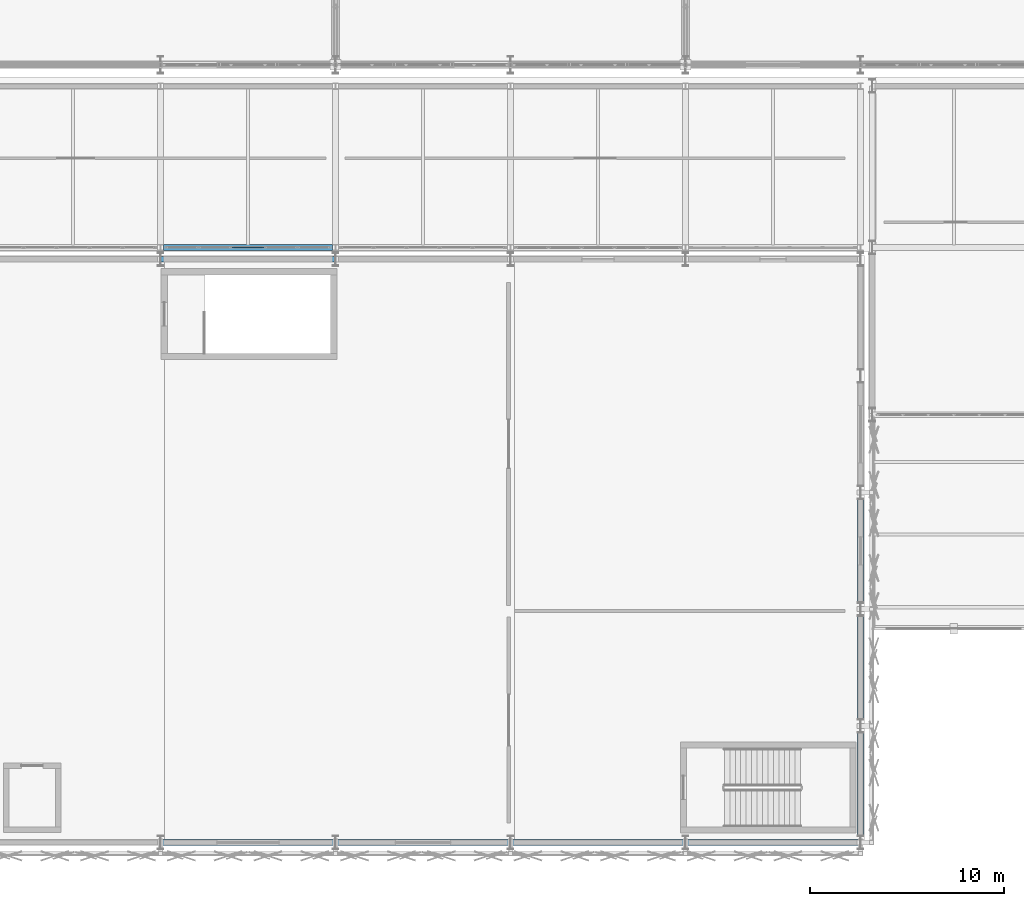
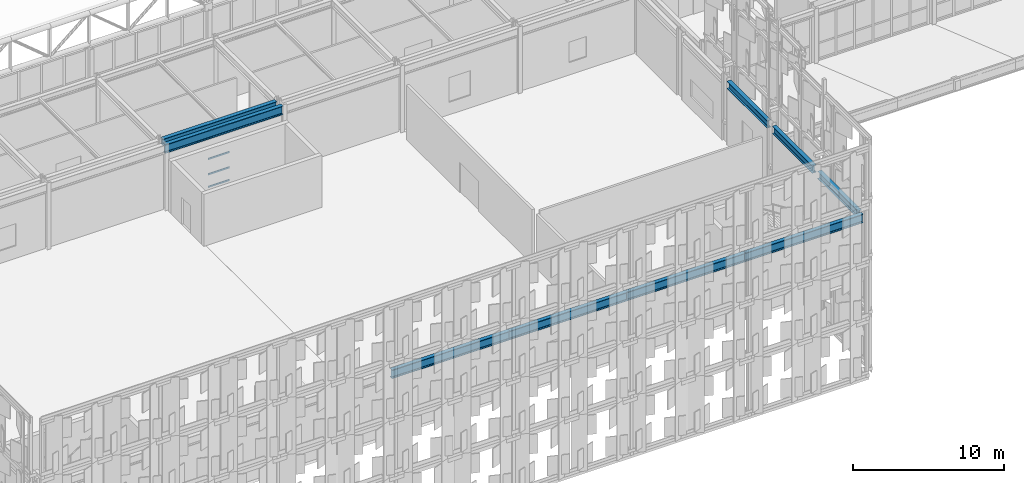
# One storey, part 26 of 239: 9 beams, 4 members, 1 element without a shape of its own.
"""IFC4 building model written with IfcOpenShell, lengths in metres."""

from ifc_helpers import new_model, si_unit, direction, frame, origin, origin_2d, place, context, subcontext, project, spatial, hollow_rectangle, i_section, extrude, material, material_profile, profile_set, type_object, element, aggregate, save


model = new_model("IFC4")

# Units and contexts
model_context = context("Model", 3, precision=1e-05, world=origin(), true_north=direction((0.0, 1.0)))
body_context = subcontext(model_context, "Body", "Model", "MODEL_VIEW")
ifc_project = project(units=[si_unit("LENGTHUNIT", "METRE"), si_unit("AREAUNIT", "SQUARE_METRE"), si_unit("VOLUMEUNIT", "CUBIC_METRE"), si_unit("PLANEANGLEUNIT", "RADIAN"), si_unit("MASSUNIT", "GRAM", prefix="KILO")], contexts=[model_context])

# Site, building, storey
site_placement = place(None, origin())
site = spatial("IfcSite", under=ifc_project, at=site_placement, CompositionType="ELEMENT")
building_placement = place(site_placement, origin())
building = spatial("IfcBuilding", under=site, at=building_placement, Name="Kaldris Quays Convention Centre", CompositionType="ELEMENT")
storey_placement = place(building_placement, frame((0.0, 0.0, 11.39990234375)))
storey = spatial("IfcBuildingStorey", under=building, at=storey_placement, Name="L02", CompositionType="ELEMENT", Elevation=11.39990234375)

# Curtain wall, members
ifc_material_1 = material(Name="Anodized aluminium AW-6060 and triple glazing", Category="aluminium")
curtain_wall_type = type_object("IfcCurtainWallType", Name="UNITISED CURTAIN WALL CW02", PredefinedType="NOTDEFINED", material=ifc_material_1)
curtain_wall_placement = place(storey_placement, origin())
curtain_wall = element("IfcCurtainWall", 1, at=curtain_wall_placement, inside=storey, type_object=curtain_wall_type, Name="L02 Unitised Curtain Wall CW02 99", PredefinedType="NOTDEFINED")
ifc_material_2 = material(Name="Anodized aluminium AW-6060", Category="aluminium")
ifc_material_profile_1 = material_profile(ifc_material_2, hollow_rectangle(XDim=0.06005859375, YDim=0.1201171875, WallThickness=0.00390625, at=origin_2d()), Name="RHS 120x60x4")
ifc_profile_set_1 = profile_set([ifc_material_profile_1], Name="Anodized aluminium AW-6060")
member_type = type_object("IfcMemberType", Name="CURTAIN TRANSOM CWT1", PredefinedType="USERDEFINED", material=ifc_profile_set_1)
member_1_placement = place(storey_placement, frame((50.679931640625, 46.60009765625, 0.030029296875), z_axis=(1.0, 0.0, 0.0), x_axis=(0.0, 1.0, 0.0)))
member_1 = element("IfcMember", 2, at=member_1_placement, type_object=member_type, Name="CW02 transom 3.1", ObjectType="TRANSOM", PredefinedType="USERDEFINED", context=body_context, shape_type="SweptSolid", body=[
    extrude(hollow_rectangle(XDim=0.06005859375, YDim=0.1201171875, WallThickness=0.00390625, at=origin_2d()), origin(), (0.0, 0.0, 1.0), 1.64013671875),
])
member_2_placement = place(storey_placement, frame((50.679931640625, 46.60009765625, 1.050048828125), z_axis=(1.0, 0.0, 0.0), x_axis=(0.0, 1.0, 0.0)))
member_2 = element("IfcMember", 3, at=member_2_placement, type_object=member_type, Name="CW02 transom 3.2", ObjectType="TRANSOM", PredefinedType="USERDEFINED", context=body_context, shape_type="SweptSolid", body=[
    extrude(hollow_rectangle(XDim=0.06005859375, YDim=0.1201171875, WallThickness=0.00390625, at=origin_2d()), origin(), (0.0, 0.0, 1.0), 1.64013671875),
])
member_3_placement = place(storey_placement, frame((50.679931640625, 46.60009765625, 2.2890625), z_axis=(1.0, 0.0, 0.0), x_axis=(0.0, 1.0, 0.0)))
member_3 = element("IfcMember", 4, at=member_3_placement, type_object=member_type, Name="CW02 transom 3.3", ObjectType="TRANSOM", PredefinedType="USERDEFINED", context=body_context, shape_type="SweptSolid", body=[
    extrude(hollow_rectangle(XDim=0.06005859375, YDim=0.1201171875, WallThickness=0.00390625, at=origin_2d()), origin(), (0.0, 0.0, 1.0), 1.64013671875),
])
member_4_placement = place(storey_placement, frame((50.679931640625, 46.60009765625, 4.548095703125), z_axis=(1.0, 0.0, 0.0), x_axis=(0.0, 1.0, 0.0)))
member_4 = element("IfcMember", 5, at=member_4_placement, type_object=member_type, Name="CW02 transom 3.4", ObjectType="TRANSOM", PredefinedType="USERDEFINED", context=body_context, shape_type="SweptSolid", body=[
    extrude(hollow_rectangle(XDim=0.06005859375, YDim=0.1201171875, WallThickness=0.00390625, at=origin_2d()), origin(), (0.0, 0.0, 1.0), 1.64013671875),
])
aggregate(curtain_wall, [member_1, member_2, member_3, member_4])

# Beams
ifc_material_3 = material(Name="Steel S355J2", Category="steel")
ifc_material_profile_2 = material_profile(ifc_material_3, i_section(OverallWidth=0.300048828125, OverallDepth=0.699951171875, WebThickness=0.01708984375, FlangeThickness=0.031982421875, FilletRadius=0.027099609375, at=origin_2d()), Name="HEB 700")
ifc_profile_set_2 = profile_set([ifc_material_profile_2], Name="Steel S355J2")
beam_type_1 = type_object("IfcBeamType", Name="STRUCTURAL BEAM BM04", PredefinedType="BEAM", material=ifc_profile_set_2)
for number, where, z_axis, x_axis, name in (
    (6, (47.00244140625, 16.0, 4.81298828125), (1.0, 0.0, 0.0), (0.0, 1.0, 0.0), "L02 Girder BM04 4"),
    (7, (56.00244140625, 16.0, 4.81298828125), (1.0, 0.0, 0.0), (0.0, 1.0, 0.0), "L02 Girder BM04 5"),
    (8, (65.00244140625, 16.0, 4.81298828125), (1.0, 0.0, 0.0), (0.0, 1.0, 0.0), "L02 Girder BM04 6"),
    (9, (74.00244140625, 16.0, 4.81298828125), (1.0, 0.0, 0.0), (0.0, 1.0, 0.0), "L02 Girder BM04 7"),
    (10, (47.00244140625, 46.0, 4.81298828125), (1.0, 0.0, 0.0), (0.0, 1.0, 0.0), "L02 Girder BM04 11"),
):
    element("IfcBeam", number, at=place(storey_placement, frame(where, z_axis=z_axis, x_axis=x_axis)), inside=storey, type_object=beam_type_1, Name=name, PredefinedType="BEAM", context=body_context, shape_type="SweptSolid", body=[
        extrude(i_section(OverallWidth=0.300048828125, OverallDepth=0.699951171875, WebThickness=0.01708984375, FlangeThickness=0.031982421875, FilletRadius=0.027099609375, at=origin_2d()), origin(), (0.0, 0.0, 1.0), 8.9951171875),
    ])
ifc_material_profile_3 = material_profile(ifc_material_3, i_section(OverallWidth=0.300048828125, OverallDepth=0.60009765625, WebThickness=0.015380859375, FlangeThickness=0.030029296875, FilletRadius=0.027099609375, at=origin_2d()), Name="HEB 600")
ifc_profile_set_3 = profile_set([ifc_material_profile_3], Name="Steel S355J2")
beam_type_2 = type_object("IfcBeamType", Name="STRUCTURAL BEAM BM05", PredefinedType="BEAM", material=ifc_profile_set_3)
for number, where, z_axis, x_axis, name in (
    (11, (83.0, 16.343994140625, 4.863037109375), (0.0, 1.0, 0.0), (-1.0, 0.0, 0.0), "L02 Girder BM05 20"),
    (12, (83.0, 22.343994140625, 4.863037109375), (0.0, 1.0, 0.0), (-1.0, 0.0, 0.0), "L02 Girder BM05 21"),
    (13, (83.0, 28.343994140625, 4.863037109375), (0.0, 1.0, 0.0), (-1.0, 0.0, 0.0), "L02 Girder BM05 22"),
):
    element("IfcBeam", number, at=place(storey_placement, frame(where, z_axis=z_axis, x_axis=x_axis)), inside=storey, type_object=beam_type_2, Name=name, PredefinedType="BEAM", context=body_context, shape_type="SweptSolid", body=[
        extrude(i_section(OverallWidth=0.300048828125, OverallDepth=0.60009765625, WebThickness=0.015380859375, FlangeThickness=0.030029296875, FilletRadius=0.027099609375, at=origin_2d()), origin(), (0.0, 0.0, 1.0), 5.31201171875),
    ])
ifc_material_profile_4 = material_profile(ifc_material_3, i_section(OverallWidth=0.300048828125, OverallDepth=0.5, WebThickness=0.014404296875, FlangeThickness=0.028076171875, FilletRadius=0.027099609375, at=origin_2d()), Name="HEB 500")
ifc_profile_set_4 = profile_set([ifc_material_profile_4], Name="Steel S355J2")
beam_type_3 = type_object("IfcBeamType", Name="STRUCTURAL BEAM BM06", PredefinedType="BEAM", material=ifc_profile_set_4)
beam_placement = place(storey_placement, frame((47.14404296875, 46.60009765625, 4.943115234375), z_axis=(1.0, 0.0, 0.0), x_axis=(0.0, 1.0, 0.0)))
element("IfcBeam", 14, at=beam_placement, inside=storey, type_object=beam_type_3, Name="L02 Girder BM06 3", PredefinedType="BEAM", context=body_context, shape_type="SweptSolid", body=[
    extrude(i_section(OverallWidth=0.300048828125, OverallDepth=0.5, WebThickness=0.014404296875, FlangeThickness=0.028076171875, FilletRadius=0.027099609375, at=origin_2d()), origin(), (0.0, 0.0, 1.0), 8.7119140625),
])

save(model, "model.ifc")
